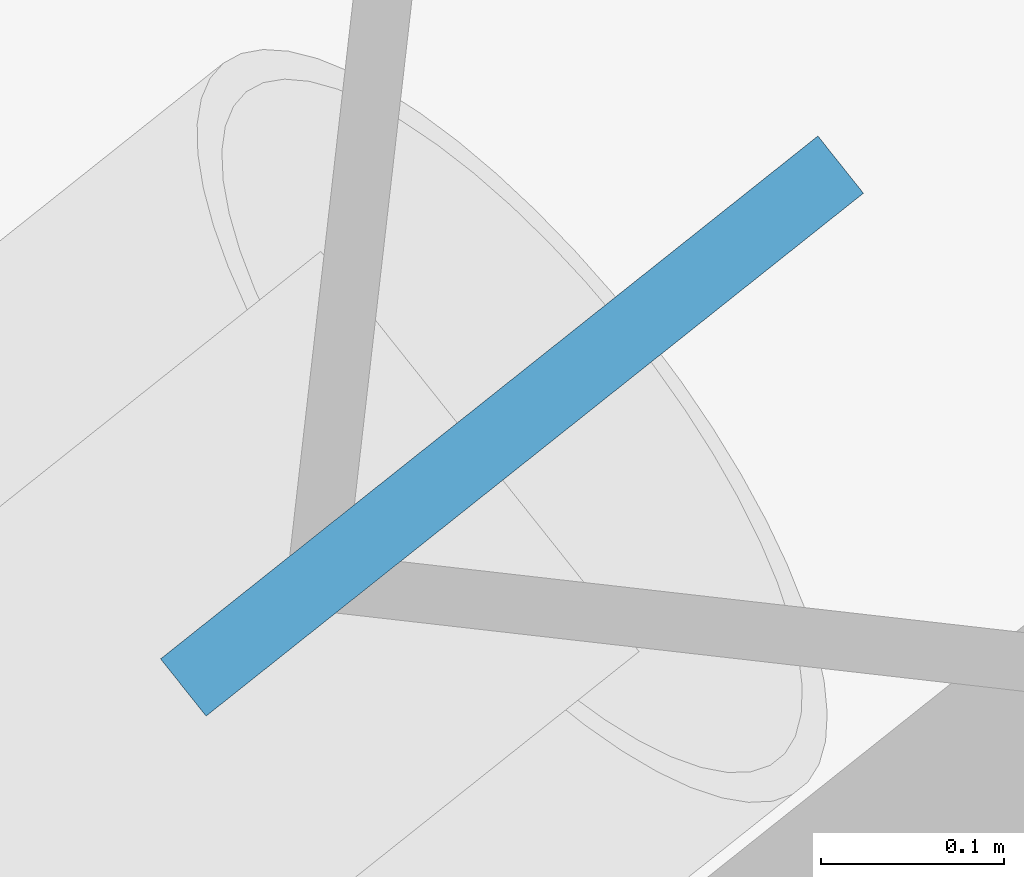
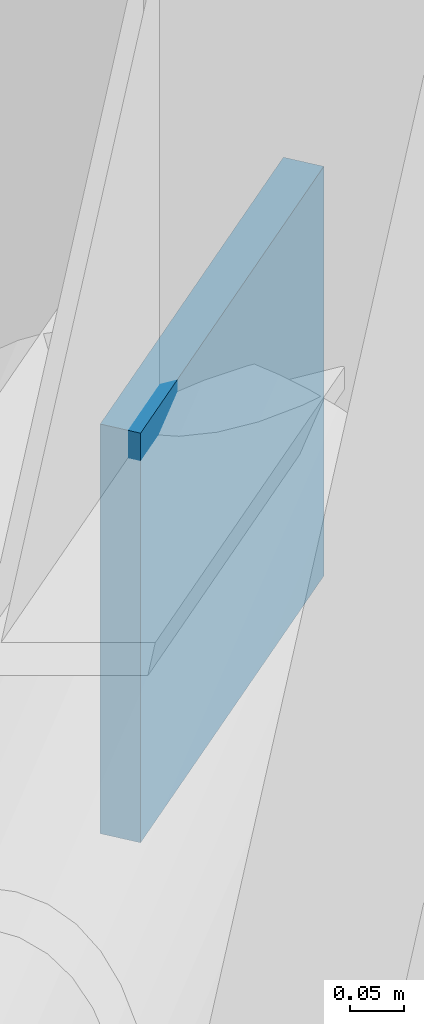
# One storey, part 18 of 21: 1 discrete accessory.
"""IFC4 building model written with IfcOpenShell, lengths in metres."""

from ifc_helpers import new_model, si_unit, direction, frame, origin, origin_2d, place, context, subcontext, project, spatial, rectangle, extrude, material, type_object, element, save


model = new_model("IFC4")

# Units and contexts
model_context = context("Model", 3, precision=1e-05, world=origin(), true_north=direction((0.0, 1.0)))
body_context = subcontext(model_context, "Body", "Model", "MODEL_VIEW")
ifc_project = project(units=[si_unit("LENGTHUNIT", "METRE"), si_unit("AREAUNIT", "SQUARE_METRE"), si_unit("VOLUMEUNIT", "CUBIC_METRE"), si_unit("PLANEANGLEUNIT", "RADIAN"), si_unit("MASSUNIT", "GRAM", prefix="KILO")], contexts=[model_context])

# Site, building, storey
site_placement = place(None, origin())
site = spatial("IfcSite", under=ifc_project, at=site_placement, CompositionType="ELEMENT")
building_placement = place(site_placement, origin())
building = spatial("IfcBuilding", under=site, at=building_placement, Name="Tavrogorsk Clinical Tower", CompositionType="ELEMENT")
storey_placement = place(building_placement, frame((0.0, 0.0, 137.39990234375)))
storey = spatial("IfcBuildingStorey", under=building, at=storey_placement, Name="L31", CompositionType="ELEMENT", Elevation=137.39990234375)

# Discrete accessory
ifc_material = material(Name="Structural steel S440", Category="steel")
discrete_accessory_type = type_object("IfcDiscreteAccessoryType", Name="GussetPlateBracket_25", PredefinedType="BRACKET", material=ifc_material)
discrete_accessory_placement = place(storey_placement, frame((-27.045654296875, 25.592041015625, 2.68505859375), z_axis=(0.0, 0.0, 1.0), x_axis=(0.782608156852, 0.622514636638, 0.0)))
element("IfcDiscreteAccessory", 1, at=discrete_accessory_placement, inside=storey, type_object=discrete_accessory_type, Name="L31 Brace Gusset Plate EXOCRN-L31-3-B", PredefinedType="BRACKET", context=body_context, shape_type="SweptSolid", body=[
    extrude(rectangle(XDim=0.4599609375, YDim=0.0400390625, at=origin_2d()), origin(), (0.0, 0.0, 1.0), 0.4599609375),
])

save(model, "model.ifc")
